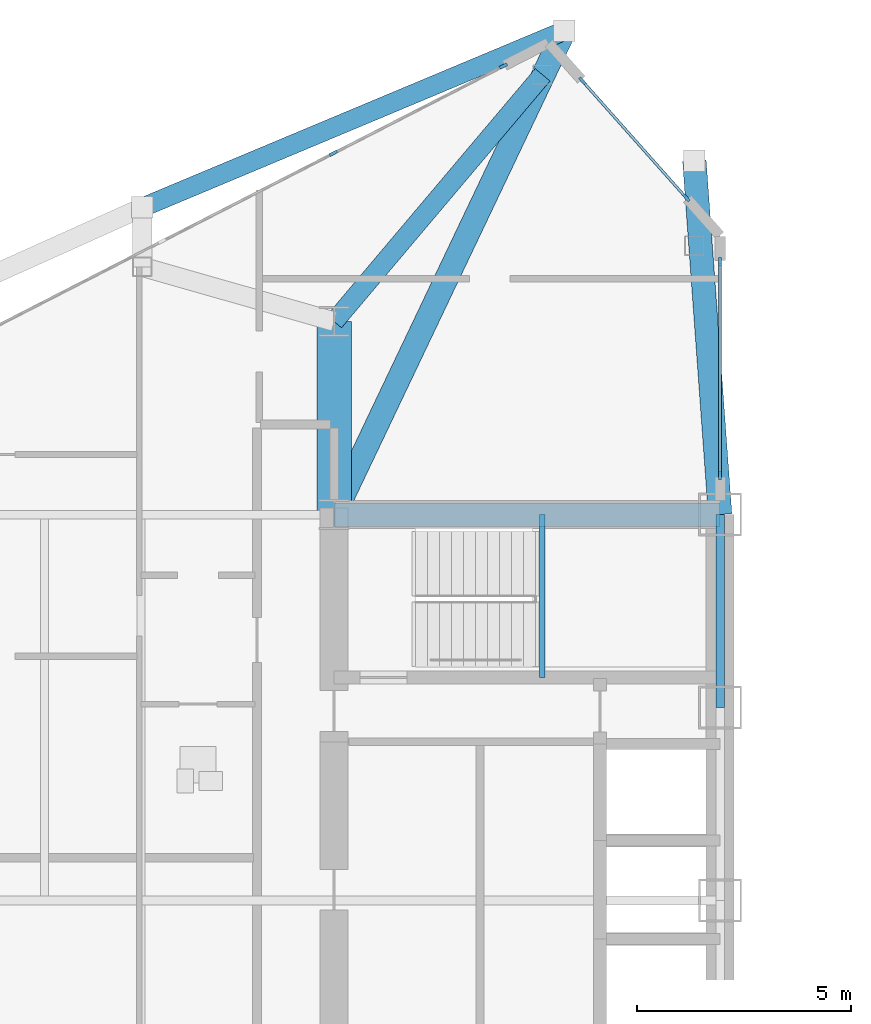
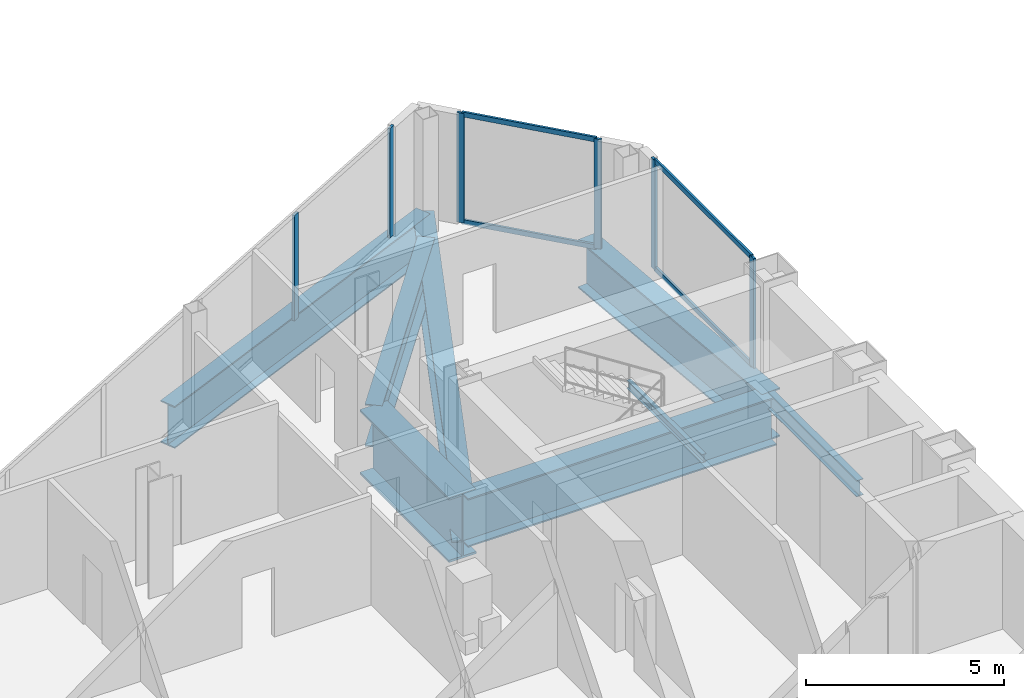
# One storey, part 9 of 28: 10 members, 8 beams, 3 elements without a shape of their own.
"""IFC4 building model written with IfcOpenShell, lengths in metres."""

from ifc_helpers import new_model, si_unit, direction, frame, origin, origin_2d, place, context, subcontext, project, spatial, rectangle, i_section, extrude, source, transform, mapped, material, layer, layer_set, material_profile, profile_set, type_object, type_shapes, element, aggregate, save


model = new_model("IFC4")

# Units and contexts
model_context = context("Model", 3, precision=1e-05, world=origin(), true_north=direction((0.0, 1.0)))
body_context = subcontext(model_context, "Body", "Model", "MODEL_VIEW")
ifc_project = project(units=[si_unit("LENGTHUNIT", "METRE"), si_unit("AREAUNIT", "SQUARE_METRE"), si_unit("VOLUMEUNIT", "CUBIC_METRE"), si_unit("PLANEANGLEUNIT", "RADIAN"), si_unit("MASSUNIT", "GRAM", prefix="KILO")], contexts=[model_context])

# Site, building, storey
site_placement = place(None, origin())
site = spatial("IfcSite", under=ifc_project, at=site_placement, CompositionType="ELEMENT")
building_placement = place(site_placement, origin())
building = spatial("IfcBuilding", under=site, at=building_placement, Name="Seokmaru Belvedere", CompositionType="ELEMENT")
storey_placement = place(building_placement, frame((0.0, 0.0, 110.39990234375)))
storey = spatial("IfcBuildingStorey", under=building, at=storey_placement, Name="L29", CompositionType="ELEMENT", Elevation=110.39990234375)

# Beams
ifc_material_1 = material(Name="Steel SM355 (355 MPa)", Category="steel")
ifc_material_profile_1 = material_profile(ifc_material_1, i_section(OverallWidth=0.199951171875, OverallDepth=0.5, WebThickness=0.010009765625, FlangeThickness=0.01611328125, at=origin_2d()), Name="H-500x200x10x16")
ifc_profile_set_1 = profile_set([ifc_material_profile_1], Name="Steel SM355 (355 MPa)")
beam_type_1 = type_object("IfcBeamType", Name="Perimeter Spandrel Beam H-500", PredefinedType="SPANDREL", material=ifc_profile_set_1)
shared_shape_1 = source(origin(), body_context, "Body", "SweptSolid", [
    extrude(i_section(OverallWidth=0.199951171875, OverallDepth=0.5, WebThickness=0.010009765625, FlangeThickness=0.01611328125, at=origin_2d()), origin(), (0.0, 0.0, 1.0), 4.5),
])
type_shapes(beam_type_1, [shared_shape_1])
beam_1_placement = place(storey_placement, frame((-27.5, 9.0, -0.469970703125), z_axis=(0.0, 1.0, 0.0), x_axis=(-1.0, 0.0, 0.0)))
element("IfcBeam", 1, at=beam_1_placement, inside=storey, type_object=beam_type_1, Name="L29 W Portal Spine Spandrel 5", PredefinedType="SPANDREL", context=body_context, shape_type="MappedRepresentation", body=[
    mapped(shared_shape_1, transform((0.0, 0.0, 0.0), scale=1.0)),
])
ifc_material_2 = material(Name="Steel HSA650 (650 MPa)", Category="steel")
ifc_material_profile_2 = material_profile(ifc_material_2, i_section(OverallWidth=0.800048828125, OverallDepth=2.0, WebThickness=0.0400390625, FlangeThickness=0.070068359375, at=origin_2d()), Name="BH-2000x800x40x70")
ifc_profile_set_2 = profile_set([ifc_material_profile_2], Name="Steel HSA650 (650 MPa)")
beam_type_2 = type_object("IfcBeamType", Name="Sky-Gate Transfer Truss Chord Girder BH-2000", PredefinedType="BEAM", material=ifc_profile_set_2)
shared_shape_2 = source(origin(), body_context, "Body", "SweptSolid", [
    extrude(i_section(OverallWidth=0.800048828125, OverallDepth=2.0, WebThickness=0.0400390625, FlangeThickness=0.070068359375, at=origin_2d()), origin(), (0.0, 0.0, 1.0), 4.5),
])
type_shapes(beam_type_2, [shared_shape_2])
beam_2_placement = place(storey_placement, frame((-36.5, 13.5, -1.219970703125), z_axis=(0.0, 1.0, 0.0), x_axis=(-1.0, 0.0, 0.0)))
element("IfcBeam", 2, at=beam_2_placement, inside=storey, type_object=beam_type_2, Name="L29 W Core Shoulder Girder N", PredefinedType="BEAM", context=body_context, shape_type="MappedRepresentation", body=[
    mapped(shared_shape_2, transform((0.0, 0.0, 0.0), scale=1.0)),
])
ifc_material_profile_3 = material_profile(ifc_material_2, i_section(OverallWidth=0.550048828125, OverallDepth=1.5, WebThickness=0.028076171875, FlangeThickness=0.044921875, at=origin_2d()), Name="BH-1500x550x28x45")
ifc_profile_set_3 = profile_set([ifc_material_profile_3], Name="Steel HSA650 (650 MPa)")
beam_type_3 = type_object("IfcBeamType", Name="Setback Transfer Girder BH-1500", PredefinedType="BEAM", material=ifc_profile_set_3)
shared_shape_3 = source(origin(), body_context, "Body", "SweptSolid", [
    extrude(i_section(OverallWidth=0.550048828125, OverallDepth=1.5, WebThickness=0.028076171875, FlangeThickness=0.044921875, at=origin_2d()), origin(), (0.0, 0.0, 1.0), 9.0),
])
beam_3_placement = place(storey_placement, frame((-36.5, 13.5, -0.969970703125), z_axis=(1.0, 0.0, 0.0), x_axis=(0.0, 1.0, 0.0)))
element("IfcBeam", 3, at=beam_3_placement, inside=storey, type_object=beam_type_3, Name="L29 W Core Transfer Header 4", PredefinedType="BEAM", context=body_context, shape_type="MappedRepresentation", body=[
    mapped(shared_shape_3, transform((0.0, 0.0, 0.0), scale=1.0)),
])
ifc_material_profile_4 = material_profile(ifc_material_2, i_section(OverallWidth=0.449951171875, OverallDepth=1.300048828125, WebThickness=0.02197265625, FlangeThickness=0.0380859375, at=origin_2d()), Name="BH-1300x450x22x38")
ifc_profile_set_4 = profile_set([ifc_material_profile_4], Name="Steel HSA650 (650 MPa)")
beam_type_4 = type_object("IfcBeamType", Name="Observatory Long-Span Roof Girder BH-1300", PredefinedType="BEAM", material=ifc_profile_set_4)
shared_shape_4 = source(origin(), body_context, "Body", "SweptSolid", [
    extrude(i_section(OverallWidth=0.449951171875, OverallDepth=1.300048828125, WebThickness=0.02197265625, FlangeThickness=0.0380859375, at=origin_2d()), origin(), (0.0, 0.0, 1.0), 10.66943359375),
])
beam_4_placement = place(storey_placement, frame((-31.13134765625, 24.782958984375, -0.869873046875), z_axis=(-0.922375393128, -0.386294750355, 0.0), x_axis=(0.386294750355, -0.922375393128, 0.0)))
element("IfcBeam", 4, at=beam_4_placement, inside=storey, type_object=beam_type_4, Name="L29 W Faceted Flank Spandrel N-1", PredefinedType="BEAM", context=body_context, shape_type="MappedRepresentation", body=[
    mapped(shared_shape_4, transform((0.0, 0.0, 0.0), scale=1.0)),
])
shared_shape_5 = source(origin(), body_context, "Body", "SweptSolid", [
    extrude(i_section(OverallWidth=0.550048828125, OverallDepth=1.5, WebThickness=0.028076171875, FlangeThickness=0.044921875, at=origin_2d()), origin(), (0.0, 0.0, 1.0), 8.273193359375),
])
beam_5_placement = place(storey_placement, frame((-28.10009765625, 21.75146484375, -0.969970703125), z_axis=(0.072534628348, -0.99736589459, 0.0), x_axis=(0.99736589459, 0.072534628348, 0.0)))
element("IfcBeam", 5, at=beam_5_placement, inside=storey, type_object=beam_type_3, Name="L29 W Setback Transfer Girder 2", PredefinedType="BEAM", context=body_context, shape_type="MappedRepresentation", body=[
    mapped(shared_shape_5, transform((0.0, 0.0, 0.0), scale=1.0)),
])
shared_shape_6 = source(origin(), body_context, "Body", "SweptSolid", [
    extrude(i_section(OverallWidth=0.550048828125, OverallDepth=1.5, WebThickness=0.028076171875, FlangeThickness=0.044921875, at=origin_2d()), origin(), (0.0, 0.0, 1.0), 12.4951171875),
])
type_shapes(beam_type_3, [shared_shape_3, shared_shape_5, shared_shape_6])
beam_6_placement = place(storey_placement, frame((-31.13134765625, 24.782958984375, -0.969970703125), z_axis=(-0.42966052169, -0.90299049613, 0.0), x_axis=(0.90299049613, -0.42966052169, 0.0)))
element("IfcBeam", 6, at=beam_6_placement, inside=storey, type_object=beam_type_3, Name="L29 W Setback Transfer Girder 3", PredefinedType="BEAM", context=body_context, shape_type="MappedRepresentation", body=[
    mapped(shared_shape_6, transform((0.0, 0.0, 0.0), scale=1.0)),
])
shared_shape_7 = source(origin(), body_context, "Body", "SweptSolid", [
    extrude(i_section(OverallWidth=0.449951171875, OverallDepth=1.300048828125, WebThickness=0.02197265625, FlangeThickness=0.0380859375, at=origin_2d()), origin(), (0.0, 0.0, 1.0), 7.531982421875),
])
type_shapes(beam_type_4, [shared_shape_4, shared_shape_7])
beam_7_placement = place(storey_placement, frame((-31.6396484375, 23.75390625, -0.869873046875), z_axis=(-0.645296861472, -0.763931908337, 0.0), x_axis=(0.763931908337, -0.645296861472, 0.0)))
element("IfcBeam", 7, at=beam_7_placement, inside=storey, type_object=beam_type_4, Name="L29 W Shoulder Sanity Tie Girder 3", PredefinedType="BEAM", context=body_context, shape_type="MappedRepresentation", body=[
    mapped(shared_shape_7, transform((0.0, 0.0, 0.0), scale=1.0)),
])

# Curtain wall, members
ifc_material_3 = material(Name="Bronze Triple Insulating Glass", Category="glass")
ifc_layer = layer(ifc_material_3, 0.195068359375)
ifc_layer_set = layer_set([ifc_layer], Name="Bronze Triple Insulating Glass")
curtain_wall_type = type_object("IfcCurtainWallType", Name="Sky-Lobby and Mid-Rise Curtain Wall System CW-4", PredefinedType="NOTDEFINED", material=ifc_layer_set)
curtain_wall_1_placement = place(storey_placement, origin())
curtain_wall_1 = element("IfcCurtainWall", 8, at=curtain_wall_1_placement, inside=storey, type_object=curtain_wall_type, Name="L29 Curtain Wall WSP_2", PredefinedType="NOTDEFINED")
ifc_material_4 = material(Name="Anodised Bronze Aluminium", Category="aluminium")
ifc_material_profile_5 = material_profile(ifc_material_4, rectangle(XDim=0.070068359375, YDim=0.195068359375, at=origin_2d()), Name="CW-M-70x195")
ifc_profile_set_5 = profile_set([ifc_material_profile_5], Name="Anodised Bronze Aluminium")
member_type_1 = type_object("IfcMemberType", Name="Bronze Unitised Mullion 70x195", PredefinedType="MULLION", material=ifc_profile_set_5)
shared_shape_8 = source(origin(), body_context, "Body", "SweptSolid", [
    extrude(rectangle(XDim=0.070068359375, YDim=0.195068359375, at=origin_2d()), origin(), (0.0, 0.0, 1.0), 3.380126953125),
])
member_1_placement = place(storey_placement, frame((-27.5, 14.4150390625, 0.0), z_axis=(0.0, 0.0, 1.0), x_axis=(-1.0, 0.0, 0.0)))
member_1 = element("IfcMember", 9, at=member_1_placement, type_object=member_type_1, Name="CW:L29:WSP_2 Mullion 1", PredefinedType="MULLION", context=body_context, shape_type="MappedRepresentation", body=[
    mapped(shared_shape_8, transform((0.0, 0.0, 0.0), scale=1.0)),
])
member_2_placement = place(storey_placement, frame((-27.5, 19.39501953125, 0.0), z_axis=(0.0, 0.0, 1.0), x_axis=(-1.0, 0.0, 0.0)))
member_2 = element("IfcMember", 10, at=member_2_placement, type_object=member_type_1, Name="CW:L29:WSP_2 Mullion 2", PredefinedType="MULLION", context=body_context, shape_type="MappedRepresentation", body=[
    mapped(shared_shape_8, transform((0.0, 0.0, 0.0), scale=1.0)),
])

curtain_wall_2_placement = place(storey_placement, origin())
curtain_wall_2 = element("IfcCurtainWall", 11, at=curtain_wall_2_placement, inside=storey, type_object=curtain_wall_type, Name="L29 Curtain Wall WF2", PredefinedType="NOTDEFINED")
member_3_placement = place(storey_placement, frame((-28.287353515625, 20.8857421875, 0.0), z_axis=(0.0, 0.0, 1.0), x_axis=(-0.747409774804, -0.664363325694, 0.0)))
member_3 = element("IfcMember", 12, at=member_3_placement, type_object=member_type_1, Name="CW:L29:WF2 Mullion 1", PredefinedType="MULLION", context=body_context, shape_type="MappedRepresentation", body=[
    mapped(shared_shape_8, transform((0.0, 0.0, 0.0), scale=1.0)),
])
member_4_placement = place(storey_placement, frame((-30.712646484375, 23.6142578125, 0.0), z_axis=(0.0, 0.0, 1.0), x_axis=(-0.747409774804, -0.664363325694, 0.0)))
member_4 = element("IfcMember", 13, at=member_4_placement, type_object=member_type_1, Name="CW:L29:WF2 Mullion 2", PredefinedType="MULLION", context=body_context, shape_type="MappedRepresentation", body=[
    mapped(shared_shape_8, transform((0.0, 0.0, 0.0), scale=1.0)),
])

# Curtain wall, member
curtain_wall_3_placement = place(storey_placement, origin())
curtain_wall_3 = element("IfcCurtainWall", 14, at=curtain_wall_3_placement, inside=storey, type_object=curtain_wall_type, Name="L29 Curtain Wall WF3", PredefinedType="NOTDEFINED")
member_5_placement = place(storey_placement, frame((-32.55419921875, 23.958984375, 0.0), z_axis=(0.0, 0.0, 1.0), x_axis=(0.456554528263, -0.889695432562, 0.0)))
member_5 = element("IfcMember", 15, at=member_5_placement, type_object=member_type_1, Name="CW:L29:WF3 Mullion 1", PredefinedType="MULLION", context=body_context, shape_type="MappedRepresentation", body=[
    mapped(shared_shape_8, transform((0.0, 0.0, 0.0), scale=1.0)),
])

# Member
ifc_material_profile_6 = material_profile(ifc_material_4, rectangle(XDim=0.06494140625, YDim=0.14990234375, at=origin_2d()), Name="CW-T-65x150")
ifc_profile_set_6 = profile_set([ifc_material_profile_6], Name="Anodised Bronze Aluminium")
member_type_2 = type_object("IfcMemberType", Name="Bronze Unitised Transom 65x150", PredefinedType="USERDEFINED", material=ifc_profile_set_6)
shared_shape_9 = source(origin(), body_context, "Body", "SweptSolid", [
    extrude(rectangle(XDim=0.06494140625, YDim=0.14990234375, at=origin_2d()), origin(), (0.0, 0.0, 1.0), 4.91015625),
])
member_6_placement = place(storey_placement, frame((-27.5, 14.449951171875, 0.03271484375), z_axis=(0.0, 1.0, 0.0), x_axis=(-1.0, 0.0, 0.0)))
member_6 = element("IfcMember", 16, at=member_6_placement, type_object=member_type_2, Name="CW:L29:WSP_2 Continuous Transom 1", ObjectType="TRANSOM", PredefinedType="USERDEFINED", context=body_context, shape_type="MappedRepresentation", body=[
    mapped(shared_shape_9, transform((0.0, 0.0, 0.0), scale=1.0)),
])

member_7_placement = place(storey_placement, frame((-27.5, 14.449951171875, 3.34765625), z_axis=(0.0, 1.0, 0.0), x_axis=(-1.0, 0.0, 0.0)))
member_7 = element("IfcMember", 17, at=member_7_placement, type_object=member_type_2, Name="CW:L29:WSP_2 Continuous Transom 2", ObjectType="TRANSOM", PredefinedType="USERDEFINED", context=body_context, shape_type="MappedRepresentation", body=[
    mapped(shared_shape_9, transform((0.0, 0.0, 0.0), scale=1.0)),
])

aggregate(curtain_wall_1, [member_1, member_2, member_6, member_7])

shared_shape_10 = source(origin(), body_context, "Body", "SweptSolid", [
    extrude(rectangle(XDim=0.06494140625, YDim=0.14990234375, at=origin_2d()), origin(), (0.0, 0.0, 1.0), 3.580810546875),
])
type_shapes(member_type_2, [shared_shape_9, shared_shape_10])
member_8_placement = place(storey_placement, frame((-28.310546875, 20.911865234375, 0.03271484375), z_axis=(-0.66436383883, 0.747409318684, 0.0), x_axis=(-0.747409318684, -0.66436383883, 0.0)))
member_8 = element("IfcMember", 18, at=member_8_placement, type_object=member_type_2, Name="CW:L29:WF2 Continuous Transom 1", ObjectType="TRANSOM", PredefinedType="USERDEFINED", context=body_context, shape_type="MappedRepresentation", body=[
    mapped(shared_shape_10, transform((0.0, 0.0, 0.0), scale=1.0)),
])

member_9_placement = place(storey_placement, frame((-28.310546875, 20.911865234375, 3.34765625), z_axis=(-0.66436383883, 0.747409318684, 0.0), x_axis=(-0.747409318684, -0.66436383883, 0.0)))
member_9 = element("IfcMember", 19, at=member_9_placement, type_object=member_type_2, Name="CW:L29:WF2 Continuous Transom 2", ObjectType="TRANSOM", PredefinedType="USERDEFINED", context=body_context, shape_type="MappedRepresentation", body=[
    mapped(shared_shape_10, transform((0.0, 0.0, 0.0), scale=1.0)),
])

aggregate(curtain_wall_2, [member_3, member_4, member_8, member_9])

shared_shape_11 = source(origin(), body_context, "Body", "SweptSolid", [
    extrude(rectangle(XDim=0.070068359375, YDim=0.195068359375, at=origin_2d()), origin(), (0.0, 0.0, 1.0), 3.25),
])
type_shapes(member_type_1, [shared_shape_8, shared_shape_11])
member_10_placement = place(storey_placement, frame((-36.51806640625, 21.925048828125, 0.065185546875), z_axis=(0.0, 0.0, 1.0), x_axis=(0.456554528263, -0.889695432562, 0.0)))
member_10 = element("IfcMember", 20, at=member_10_placement, type_object=member_type_1, Name="CW:L29:WF3 Mullion 2", PredefinedType="MULLION", context=body_context, shape_type="MappedRepresentation", body=[
    mapped(shared_shape_11, transform((0.0, 0.0, 0.0), scale=1.0)),
])

aggregate(curtain_wall_3, [member_5, member_10])

# Beam
ifc_material_profile_7 = material_profile(ifc_material_1, i_section(OverallWidth=0.125, OverallDepth=0.25, WebThickness=0.006103515625, FlangeThickness=0.009033203125, at=origin_2d()), Name="H-250x125x6x9")
ifc_profile_set_7 = profile_set([ifc_material_profile_7], Name="Steel SM355 (355 MPa)")
beam_type_5 = type_object("IfcBeamType", Name="Stair Mid-Landing Support Beam H-250", PredefinedType="JOIST", material=ifc_profile_set_7)
shared_shape_12 = source(origin(), body_context, "Body", "SweptSolid", [
    extrude(i_section(OverallWidth=0.125, OverallDepth=0.25, WebThickness=0.006103515625, FlangeThickness=0.009033203125, at=origin_2d()), origin(), (0.0, 0.0, 1.0), 3.800048828125),
])
type_shapes(beam_type_5, [shared_shape_12])
beam_8_placement = place(storey_placement, frame((-31.64990234375, 9.699951171875, 1.47509765625), z_axis=(0.0, 1.0, 0.0), x_axis=(-1.0, 0.0, 0.0)))
element("IfcBeam", 21, at=beam_8_placement, inside=storey, type_object=beam_type_5, Name="L29 Stair ST-W2 Mid-Landing Support Beam 1", PredefinedType="JOIST", context=body_context, shape_type="MappedRepresentation", body=[
    mapped(shared_shape_12, transform((0.0, 0.0, 0.0), scale=1.0)),
])

save(model, "model.ifc")
